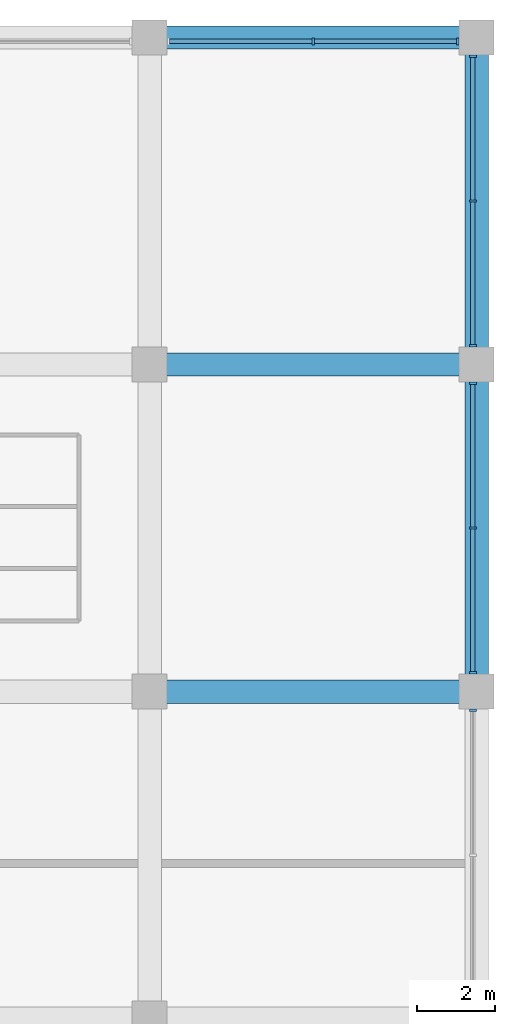
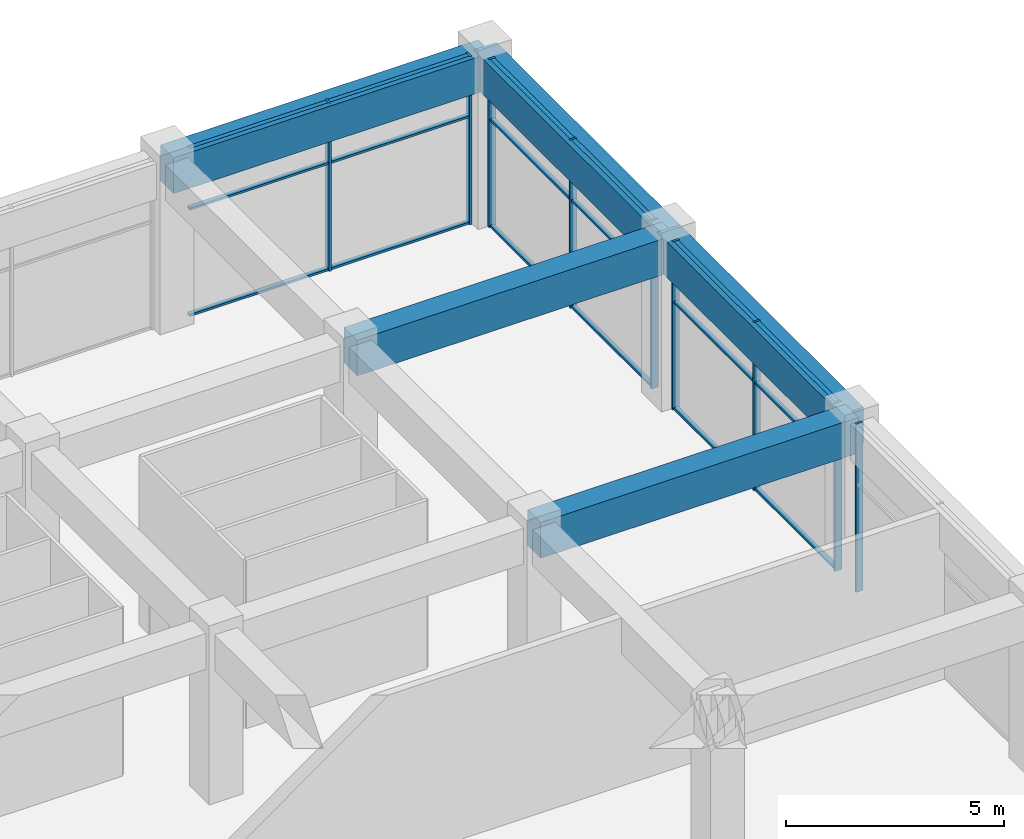
# One storey, part 21 of 34: 27 members, 5 beams, 4 elements without a shape of their own.
"""IFC4 building model written with IfcOpenShell, lengths in metres."""

from ifc_helpers import new_model, si_unit, direction, frame, origin, origin_2d, place, context, subcontext, project, spatial, rectangle, extrude, material, material_profile, profile_set, type_object, element, aggregate, save


model = new_model("IFC4")

# Units and contexts
model_context = context("Model", 3, precision=1e-05, world=origin(), true_north=direction((0.0, 1.0)))
body_context = subcontext(model_context, "Body", "Model", "MODEL_VIEW")
ifc_project = project(units=[si_unit("LENGTHUNIT", "METRE"), si_unit("AREAUNIT", "SQUARE_METRE"), si_unit("VOLUMEUNIT", "CUBIC_METRE"), si_unit("PLANEANGLEUNIT", "RADIAN"), si_unit("MASSUNIT", "GRAM", prefix="KILO")], contexts=[model_context])

# Site, building, storey
site_placement = place(None, origin())
site = spatial("IfcSite", under=ifc_project, at=site_placement, CompositionType="ELEMENT")
building_placement = place(site_placement, origin())
building = spatial("IfcBuilding", under=site, at=building_placement, Name="Impinga Residences", CompositionType="ELEMENT")
storey_placement = place(building_placement, frame((0.0, 0.0, 11.0)))
storey = spatial("IfcBuildingStorey", under=building, at=storey_placement, Name="L02", CompositionType="ELEMENT", Elevation=11.0)

# Curtain wall, members
ifc_material_1 = material(Name="Aluminium stick curtain wall", Category="aluminium")
curtain_wall_type = type_object("IfcCurtainWallType", Name="CW1 podium amenity curtain wall", PredefinedType="USERDEFINED", material=ifc_material_1)
curtain_wall_1_placement = place(storey_placement, origin())
curtain_wall_1 = element("IfcCurtainWall", 1, at=curtain_wall_1_placement, inside=storey, type_object=curtain_wall_type, Name="Curtain wall CW1 L02", ObjectType="STICK CURTAIN WALL", PredefinedType="USERDEFINED")
ifc_material_2 = material(Name="Aluminium mullion", Category="aluminium")
ifc_material_profile_1 = material_profile(ifc_material_2, rectangle(XDim=0.06005859375, YDim=0.179931640625, at=origin_2d()), Name="60x180 mullion")
ifc_profile_set_1 = profile_set([ifc_material_profile_1], Name="Aluminium mullion")
member_type_1 = type_object("IfcMemberType", Name="CW1-M mullion 60x180", PredefinedType="MULLION", material=ifc_profile_set_1)
member_1_placement = place(storey_placement, frame((46.199951171875, 50.300048828125, 0.0), z_axis=(0.0, 0.0, 1.0), x_axis=(1.0, 0.0, 0.0)))
member_1 = element("IfcMember", 2, at=member_1_placement, type_object=member_type_1, Name="CW1 mullion 2", PredefinedType="MULLION", context=body_context, shape_type="SweptSolid", body=[
    extrude(rectangle(XDim=0.06005859375, YDim=0.179931640625, at=origin_2d()), origin(), (0.0, 0.0, 1.0), 4.699951171875),
])
member_2_placement = place(storey_placement, frame((49.9169921875, 50.300048828125, 0.0), z_axis=(0.0, 0.0, 1.0), x_axis=(1.0, 0.0, 0.0)))
member_2 = element("IfcMember", 3, at=member_2_placement, type_object=member_type_1, Name="CW1 mullion 3", PredefinedType="MULLION", context=body_context, shape_type="SweptSolid", body=[
    extrude(rectangle(XDim=0.06005859375, YDim=0.179931640625, at=origin_2d()), origin(), (0.0, 0.0, 1.0), 4.699951171875),
])

curtain_wall_2_placement = place(storey_placement, origin())
curtain_wall_2 = element("IfcCurtainWall", 4, at=curtain_wall_2_placement, inside=storey, type_object=curtain_wall_type, Name="Curtain wall CW1 L02", ObjectType="STICK CURTAIN WALL", PredefinedType="USERDEFINED")
member_3_placement = place(storey_placement, frame((50.300048828125, 49.9169921875, 0.0), z_axis=(0.0, 0.0, 1.0), x_axis=(0.0, -1.0, 0.0)))
member_3 = element("IfcMember", 5, at=member_3_placement, type_object=member_type_1, Name="CW1 mullion 1", PredefinedType="MULLION", context=body_context, shape_type="SweptSolid", body=[
    extrude(rectangle(XDim=0.06005859375, YDim=0.179931640625, at=origin_2d()), origin(), (0.0, 0.0, 1.0), 4.699951171875),
])
member_4_placement = place(storey_placement, frame((50.300048828125, 46.199951171875, 0.0), z_axis=(0.0, 0.0, 1.0), x_axis=(0.0, -1.0, 0.0)))
member_4 = element("IfcMember", 6, at=member_4_placement, type_object=member_type_1, Name="CW1 mullion 2", PredefinedType="MULLION", context=body_context, shape_type="SweptSolid", body=[
    extrude(rectangle(XDim=0.06005859375, YDim=0.179931640625, at=origin_2d()), origin(), (0.0, 0.0, 1.0), 4.699951171875),
])
member_5_placement = place(storey_placement, frame((50.300048828125, 42.48291015625, 0.0), z_axis=(0.0, 0.0, 1.0), x_axis=(0.0, -1.0, 0.0)))
member_5 = element("IfcMember", 7, at=member_5_placement, type_object=member_type_1, Name="CW1 mullion 3", PredefinedType="MULLION", context=body_context, shape_type="SweptSolid", body=[
    extrude(rectangle(XDim=0.06005859375, YDim=0.179931640625, at=origin_2d()), origin(), (0.0, 0.0, 1.0), 4.699951171875),
])

curtain_wall_3_placement = place(storey_placement, origin())
curtain_wall_3 = element("IfcCurtainWall", 8, at=curtain_wall_3_placement, inside=storey, type_object=curtain_wall_type, Name="Curtain wall CW1 L02", ObjectType="STICK CURTAIN WALL", PredefinedType="USERDEFINED")
member_6_placement = place(storey_placement, frame((50.300048828125, 41.51708984375, 0.0), z_axis=(0.0, 0.0, 1.0), x_axis=(0.0, -1.0, 0.0)))
member_6 = element("IfcMember", 9, at=member_6_placement, type_object=member_type_1, Name="CW1 mullion 1", PredefinedType="MULLION", context=body_context, shape_type="SweptSolid", body=[
    extrude(rectangle(XDim=0.06005859375, YDim=0.179931640625, at=origin_2d()), origin(), (0.0, 0.0, 1.0), 4.699951171875),
])
member_7_placement = place(storey_placement, frame((50.300048828125, 37.800048828125, 0.0), z_axis=(0.0, 0.0, 1.0), x_axis=(0.0, -1.0, 0.0)))
member_7 = element("IfcMember", 10, at=member_7_placement, type_object=member_type_1, Name="CW1 mullion 2", PredefinedType="MULLION", context=body_context, shape_type="SweptSolid", body=[
    extrude(rectangle(XDim=0.06005859375, YDim=0.179931640625, at=origin_2d()), origin(), (0.0, 0.0, 1.0), 4.699951171875),
])
member_8_placement = place(storey_placement, frame((50.300048828125, 34.0830078125, 0.0), z_axis=(0.0, 0.0, 1.0), x_axis=(0.0, -1.0, 0.0)))
member_8 = element("IfcMember", 11, at=member_8_placement, type_object=member_type_1, Name="CW1 mullion 3", PredefinedType="MULLION", context=body_context, shape_type="SweptSolid", body=[
    extrude(rectangle(XDim=0.06005859375, YDim=0.179931640625, at=origin_2d()), origin(), (0.0, 0.0, 1.0), 4.699951171875),
])

# Curtain wall, member
curtain_wall_4_placement = place(storey_placement, origin())
curtain_wall_4 = element("IfcCurtainWall", 12, at=curtain_wall_4_placement, inside=storey, type_object=curtain_wall_type, Name="Curtain wall CW1 L02", ObjectType="STICK CURTAIN WALL", PredefinedType="USERDEFINED")
member_9_placement = place(storey_placement, frame((50.300048828125, 33.116943359375, 0.0), z_axis=(0.0, 0.0, 1.0), x_axis=(0.0, -1.0, 0.0)))
member_9 = element("IfcMember", 13, at=member_9_placement, type_object=member_type_1, Name="CW1 mullion 1", PredefinedType="MULLION", context=body_context, shape_type="SweptSolid", body=[
    extrude(rectangle(XDim=0.06005859375, YDim=0.179931640625, at=origin_2d()), origin(), (0.0, 0.0, 1.0), 4.699951171875),
])
aggregate(curtain_wall_4, [member_9])

# Member
ifc_material_3 = material(Name="Aluminium transom", Category="aluminium")
ifc_material_profile_2 = material_profile(ifc_material_3, rectangle(XDim=0.06005859375, YDim=0.1201171875, at=origin_2d()), Name="60x120 transom")
ifc_profile_set_2 = profile_set([ifc_material_profile_2], Name="Aluminium transom")
member_type_2 = type_object("IfcMemberType", Name="CW1-T transom 60x120", PredefinedType="USERDEFINED", material=ifc_profile_set_2)
member_10_placement = place(storey_placement, frame((42.512939453125, 50.300048828125, 0.030029296875), z_axis=(1.0, 0.0, 0.0), x_axis=(0.0, 0.0, 1.0)))
member_10 = element("IfcMember", 14, at=member_10_placement, type_object=member_type_2, Name="CW1 transom 1.1", ObjectType="TRANSOM", PredefinedType="USERDEFINED", context=body_context, shape_type="SweptSolid", body=[
    extrude(rectangle(XDim=0.06005859375, YDim=0.1201171875, at=origin_2d()), origin(), (0.0, 0.0, 1.0), 3.656982421875),
])

member_11_placement = place(storey_placement, frame((42.512939453125, 50.300048828125, 3.0), z_axis=(1.0, 0.0, 0.0), x_axis=(0.0, 0.0, 1.0)))
member_11 = element("IfcMember", 15, at=member_11_placement, type_object=member_type_2, Name="CW1 transom 1.2", ObjectType="TRANSOM", PredefinedType="USERDEFINED", context=body_context, shape_type="SweptSolid", body=[
    extrude(rectangle(XDim=0.06005859375, YDim=0.1201171875, at=origin_2d()), origin(), (0.0, 0.0, 1.0), 3.656982421875),
])

member_12_placement = place(storey_placement, frame((42.512939453125, 50.300048828125, 4.669921875), z_axis=(1.0, 0.0, 0.0), x_axis=(0.0, 0.0, 1.0)))
member_12 = element("IfcMember", 16, at=member_12_placement, type_object=member_type_2, Name="CW1 transom 1.3", ObjectType="TRANSOM", PredefinedType="USERDEFINED", context=body_context, shape_type="SweptSolid", body=[
    extrude(rectangle(XDim=0.06005859375, YDim=0.1201171875, at=origin_2d()), origin(), (0.0, 0.0, 1.0), 3.656982421875),
])

member_13_placement = place(storey_placement, frame((46.22998046875, 50.300048828125, 0.030029296875), z_axis=(1.0, 0.0, 0.0), x_axis=(0.0, 0.0, 1.0)))
member_13 = element("IfcMember", 17, at=member_13_placement, type_object=member_type_2, Name="CW1 transom 2.1", ObjectType="TRANSOM", PredefinedType="USERDEFINED", context=body_context, shape_type="SweptSolid", body=[
    extrude(rectangle(XDim=0.06005859375, YDim=0.1201171875, at=origin_2d()), origin(), (0.0, 0.0, 1.0), 3.656982421875),
])

member_14_placement = place(storey_placement, frame((46.22998046875, 50.300048828125, 3.0), z_axis=(1.0, 0.0, 0.0), x_axis=(0.0, 0.0, 1.0)))
member_14 = element("IfcMember", 18, at=member_14_placement, type_object=member_type_2, Name="CW1 transom 2.2", ObjectType="TRANSOM", PredefinedType="USERDEFINED", context=body_context, shape_type="SweptSolid", body=[
    extrude(rectangle(XDim=0.06005859375, YDim=0.1201171875, at=origin_2d()), origin(), (0.0, 0.0, 1.0), 3.656982421875),
])

member_15_placement = place(storey_placement, frame((46.22998046875, 50.300048828125, 4.669921875), z_axis=(1.0, 0.0, 0.0), x_axis=(0.0, 0.0, 1.0)))
member_15 = element("IfcMember", 19, at=member_15_placement, type_object=member_type_2, Name="CW1 transom 2.3", ObjectType="TRANSOM", PredefinedType="USERDEFINED", context=body_context, shape_type="SweptSolid", body=[
    extrude(rectangle(XDim=0.06005859375, YDim=0.1201171875, at=origin_2d()), origin(), (0.0, 0.0, 1.0), 3.656982421875),
])

aggregate(curtain_wall_1, [member_1, member_2, member_10, member_11, member_12, member_13, member_14, member_15])

member_16_placement = place(storey_placement, frame((50.300048828125, 49.886962890625, 0.030029296875), z_axis=(0.0, -1.0, 0.0), x_axis=(0.0, 0.0, 1.0)))
member_16 = element("IfcMember", 20, at=member_16_placement, type_object=member_type_2, Name="CW1 transom 1.1", ObjectType="TRANSOM", PredefinedType="USERDEFINED", context=body_context, shape_type="SweptSolid", body=[
    extrude(rectangle(XDim=0.06005859375, YDim=0.1201171875, at=origin_2d()), origin(), (0.0, 0.0, 1.0), 3.656982421875),
])

member_17_placement = place(storey_placement, frame((50.300048828125, 49.886962890625, 3.0), z_axis=(0.0, -1.0, 0.0), x_axis=(0.0, 0.0, 1.0)))
member_17 = element("IfcMember", 21, at=member_17_placement, type_object=member_type_2, Name="CW1 transom 1.2", ObjectType="TRANSOM", PredefinedType="USERDEFINED", context=body_context, shape_type="SweptSolid", body=[
    extrude(rectangle(XDim=0.06005859375, YDim=0.1201171875, at=origin_2d()), origin(), (0.0, 0.0, 1.0), 3.656982421875),
])

member_18_placement = place(storey_placement, frame((50.300048828125, 49.886962890625, 4.669921875), z_axis=(0.0, -1.0, 0.0), x_axis=(0.0, 0.0, 1.0)))
member_18 = element("IfcMember", 22, at=member_18_placement, type_object=member_type_2, Name="CW1 transom 1.3", ObjectType="TRANSOM", PredefinedType="USERDEFINED", context=body_context, shape_type="SweptSolid", body=[
    extrude(rectangle(XDim=0.06005859375, YDim=0.1201171875, at=origin_2d()), origin(), (0.0, 0.0, 1.0), 3.656982421875),
])

member_19_placement = place(storey_placement, frame((50.300048828125, 46.169921875, 0.030029296875), z_axis=(0.0, -1.0, 0.0), x_axis=(0.0, 0.0, 1.0)))
member_19 = element("IfcMember", 23, at=member_19_placement, type_object=member_type_2, Name="CW1 transom 2.1", ObjectType="TRANSOM", PredefinedType="USERDEFINED", context=body_context, shape_type="SweptSolid", body=[
    extrude(rectangle(XDim=0.06005859375, YDim=0.1201171875, at=origin_2d()), origin(), (0.0, 0.0, 1.0), 3.656982421875),
])

member_20_placement = place(storey_placement, frame((50.300048828125, 46.169921875, 3.0), z_axis=(0.0, -1.0, 0.0), x_axis=(0.0, 0.0, 1.0)))
member_20 = element("IfcMember", 24, at=member_20_placement, type_object=member_type_2, Name="CW1 transom 2.2", ObjectType="TRANSOM", PredefinedType="USERDEFINED", context=body_context, shape_type="SweptSolid", body=[
    extrude(rectangle(XDim=0.06005859375, YDim=0.1201171875, at=origin_2d()), origin(), (0.0, 0.0, 1.0), 3.656982421875),
])

member_21_placement = place(storey_placement, frame((50.300048828125, 46.169921875, 4.669921875), z_axis=(0.0, -1.0, 0.0), x_axis=(0.0, 0.0, 1.0)))
member_21 = element("IfcMember", 25, at=member_21_placement, type_object=member_type_2, Name="CW1 transom 2.3", ObjectType="TRANSOM", PredefinedType="USERDEFINED", context=body_context, shape_type="SweptSolid", body=[
    extrude(rectangle(XDim=0.06005859375, YDim=0.1201171875, at=origin_2d()), origin(), (0.0, 0.0, 1.0), 3.656982421875),
])

aggregate(curtain_wall_2, [member_3, member_4, member_5, member_16, member_17, member_18, member_19, member_20, member_21])

member_22_placement = place(storey_placement, frame((50.300048828125, 41.487060546875, 0.030029296875), z_axis=(0.0, -1.0, 0.0), x_axis=(0.0, 0.0, 1.0)))
member_22 = element("IfcMember", 26, at=member_22_placement, type_object=member_type_2, Name="CW1 transom 1.1", ObjectType="TRANSOM", PredefinedType="USERDEFINED", context=body_context, shape_type="SweptSolid", body=[
    extrude(rectangle(XDim=0.06005859375, YDim=0.1201171875, at=origin_2d()), origin(), (0.0, 0.0, 1.0), 3.656982421875),
])

member_23_placement = place(storey_placement, frame((50.300048828125, 41.487060546875, 3.0), z_axis=(0.0, -1.0, 0.0), x_axis=(0.0, 0.0, 1.0)))
member_23 = element("IfcMember", 27, at=member_23_placement, type_object=member_type_2, Name="CW1 transom 1.2", ObjectType="TRANSOM", PredefinedType="USERDEFINED", context=body_context, shape_type="SweptSolid", body=[
    extrude(rectangle(XDim=0.06005859375, YDim=0.1201171875, at=origin_2d()), origin(), (0.0, 0.0, 1.0), 3.656982421875),
])

member_24_placement = place(storey_placement, frame((50.300048828125, 41.487060546875, 4.669921875), z_axis=(0.0, -1.0, 0.0), x_axis=(0.0, 0.0, 1.0)))
member_24 = element("IfcMember", 28, at=member_24_placement, type_object=member_type_2, Name="CW1 transom 1.3", ObjectType="TRANSOM", PredefinedType="USERDEFINED", context=body_context, shape_type="SweptSolid", body=[
    extrude(rectangle(XDim=0.06005859375, YDim=0.1201171875, at=origin_2d()), origin(), (0.0, 0.0, 1.0), 3.656982421875),
])

member_25_placement = place(storey_placement, frame((50.300048828125, 37.77001953125, 0.030029296875), z_axis=(0.0, -1.0, 0.0), x_axis=(0.0, 0.0, 1.0)))
member_25 = element("IfcMember", 29, at=member_25_placement, type_object=member_type_2, Name="CW1 transom 2.1", ObjectType="TRANSOM", PredefinedType="USERDEFINED", context=body_context, shape_type="SweptSolid", body=[
    extrude(rectangle(XDim=0.06005859375, YDim=0.1201171875, at=origin_2d()), origin(), (0.0, 0.0, 1.0), 3.656982421875),
])

member_26_placement = place(storey_placement, frame((50.300048828125, 37.77001953125, 3.0), z_axis=(0.0, -1.0, 0.0), x_axis=(0.0, 0.0, 1.0)))
member_26 = element("IfcMember", 30, at=member_26_placement, type_object=member_type_2, Name="CW1 transom 2.2", ObjectType="TRANSOM", PredefinedType="USERDEFINED", context=body_context, shape_type="SweptSolid", body=[
    extrude(rectangle(XDim=0.06005859375, YDim=0.1201171875, at=origin_2d()), origin(), (0.0, 0.0, 1.0), 3.656982421875),
])

member_27_placement = place(storey_placement, frame((50.300048828125, 37.77001953125, 4.669921875), z_axis=(0.0, -1.0, 0.0), x_axis=(0.0, 0.0, 1.0)))
member_27 = element("IfcMember", 31, at=member_27_placement, type_object=member_type_2, Name="CW1 transom 2.3", ObjectType="TRANSOM", PredefinedType="USERDEFINED", context=body_context, shape_type="SweptSolid", body=[
    extrude(rectangle(XDim=0.06005859375, YDim=0.1201171875, at=origin_2d()), origin(), (0.0, 0.0, 1.0), 3.656982421875),
])

aggregate(curtain_wall_3, [member_6, member_7, member_8, member_22, member_23, member_24, member_25, member_26, member_27])

# Beams
ifc_material_4 = material(Name="Concrete C60/75", Category="concrete")
ifc_material_profile_3 = material_profile(ifc_material_4, rectangle(XDim=0.60009765625, YDim=1.0, at=origin_2d()), Name="RC 600x1000")
ifc_profile_set_3 = profile_set([ifc_material_profile_3], Name="Concrete C60/75")
beam_type = type_object("IfcBeamType", Name="PB2 600x1000 podium beam", PredefinedType="BEAM", material=ifc_profile_set_3)
for number, where, z_axis, x_axis, name in (
    (32, (42.0, 33.60009765625, 4.199951171875), (1.0, 0.0, 0.0), (0.0, 1.0, 0.0), "Beam PB2 K/12-13 level L03"),
    (33, (42.0, 42.0, 4.199951171875), (1.0, 0.0, 0.0), (0.0, 1.0, 0.0), "Beam PB2 L/12-13 level L03"),
    (34, (42.0, 50.39990234375, 4.199951171875), (1.0, 0.0, 0.0), (0.0, 1.0, 0.0), "Beam PB2 M/12-13 level L03"),
    (35, (50.39990234375, 33.60009765625, 4.199951171875), (0.0, 1.0, 0.0), (-1.0, 0.0, 0.0), "Beam PB2 13/K-L level L03"),
    (36, (50.39990234375, 42.0, 4.199951171875), (0.0, 1.0, 0.0), (-1.0, 0.0, 0.0), "Beam PB2 13/L-M level L03"),
):
    element("IfcBeam", number, at=place(storey_placement, frame(where, z_axis=z_axis, x_axis=x_axis)), inside=storey, type_object=beam_type, Name=name, PredefinedType="BEAM", context=body_context, shape_type="SweptSolid", body=[
        extrude(rectangle(XDim=0.60009765625, YDim=1.0, at=origin_2d()), origin(), (0.0, 0.0, 1.0), 8.39990234375),
    ])

save(model, "model.ifc")
